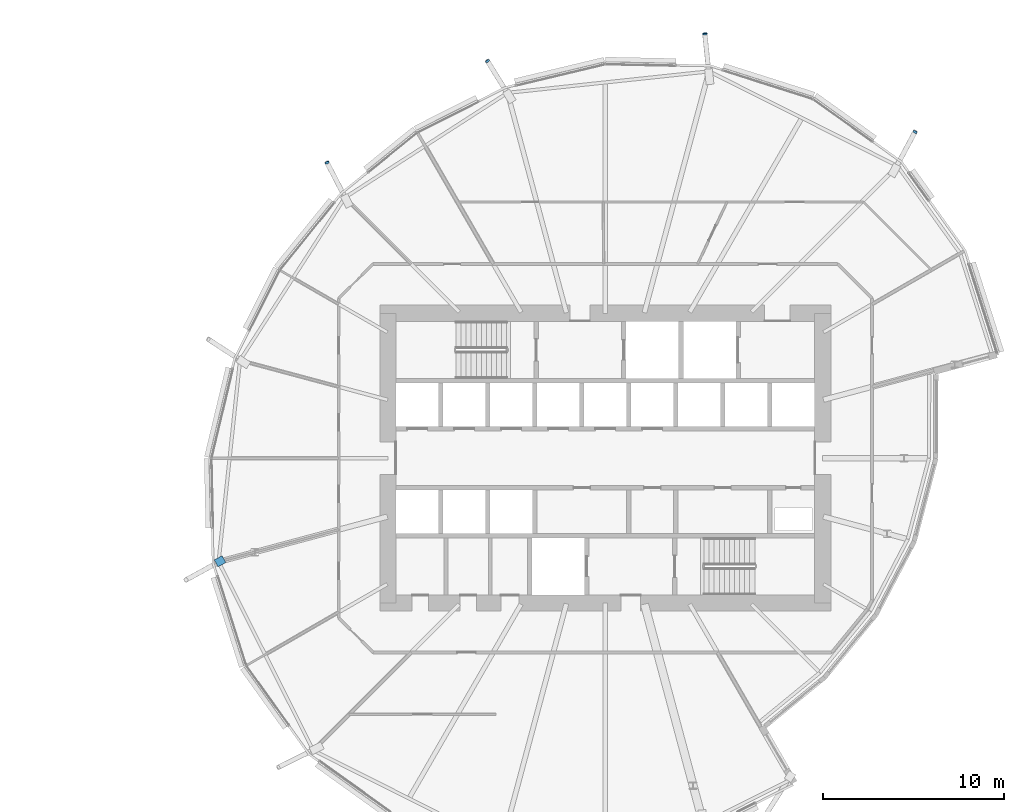
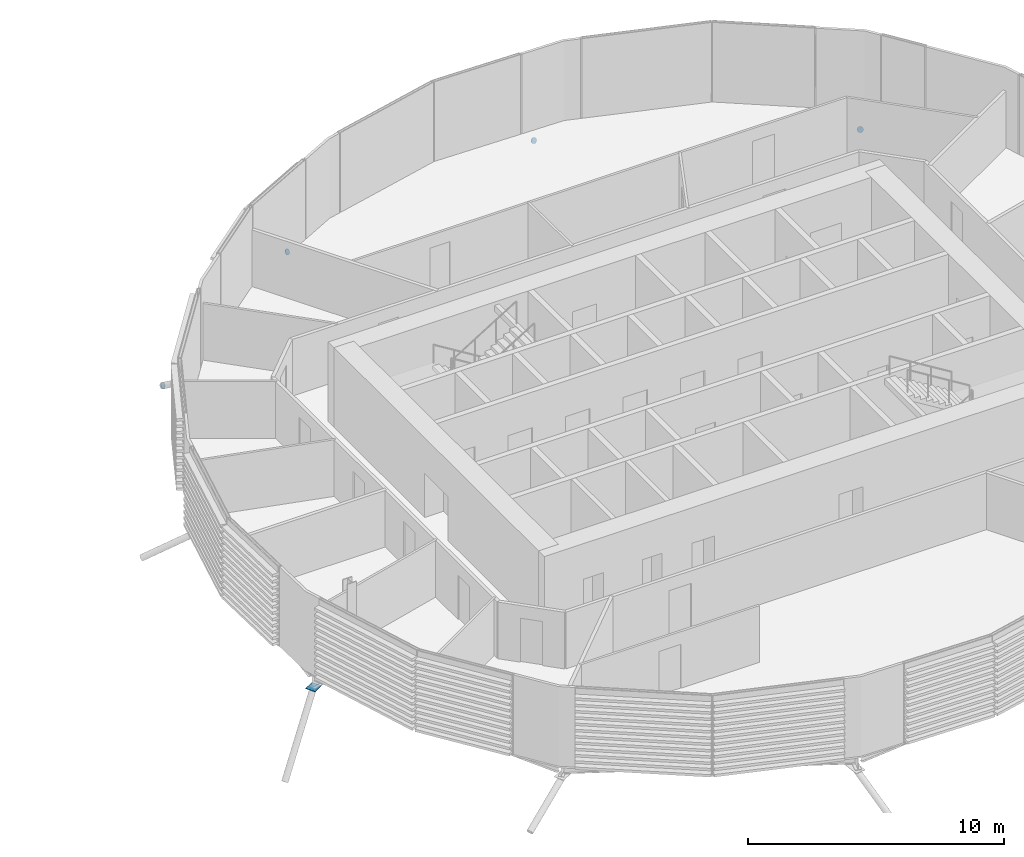
# One storey, part 32 of 38: 5 discrete accessories.
"""IFC4 building model written with IfcOpenShell, lengths in metres."""

from ifc_helpers import new_model, si_unit, direction, frame, origin, origin_2d, place, context, subcontext, project, spatial, polyline, rectangle, circle, outline, extrude, material, material_profile, profile_set, type_object, element, save


model = new_model("IFC4")

# Units and contexts
model_context = context("Model", 3, precision=1e-05, world=origin(), true_north=direction((0.0, 1.0)))
body_context = subcontext(model_context, "Body", "Model", "MODEL_VIEW")
ifc_project = project(units=[si_unit("LENGTHUNIT", "METRE"), si_unit("AREAUNIT", "SQUARE_METRE"), si_unit("VOLUMEUNIT", "CUBIC_METRE"), si_unit("PLANEANGLEUNIT", "RADIAN"), si_unit("MASSUNIT", "GRAM", prefix="KILO")], contexts=[model_context])

# Site, building, storey
site_placement = place(None, origin())
site = spatial("IfcSite", under=ifc_project, at=site_placement, CompositionType="ELEMENT")
building_placement = place(site_placement, origin())
building = spatial("IfcBuilding", under=site, at=building_placement, Name="Rimbun Link Towers", CompositionType="ELEMENT")
storey_placement = place(building_placement, frame((0.0, 0.0, 56.60009765625)))
storey = spatial("IfcBuildingStorey", under=building, at=storey_placement, Name="L13", CompositionType="ELEMENT", Elevation=56.60009765625)

# Discrete accessories
ifc_material_1 = material(Name="Steel S355J2H", Category="steel")
ifc_material_profile_1 = material_profile(ifc_material_1, circle(Radius=0.1240234375, at=origin_2d()), Name="PL D248")
ifc_profile_set_1 = profile_set([ifc_material_profile_1], Name="Steel S355J2H")
discrete_accessory_type_1 = type_object("IfcDiscreteAccessoryType", Name="Link foot sealing plate D248X20", PredefinedType="BRACKET", material=ifc_profile_set_1)
discrete_accessory_1_placement = place(storey_placement, frame((48.844482421875, 18.0126953125, -2.202392578125), z_axis=(0.409638554217, 0.759036144578, -0.506024096386), x_axis=(-0.88002217267, 0.474932601123, 0.0)))
element("IfcDiscreteAccessory", 1, at=discrete_accessory_1_placement, inside=storey, type_object=discrete_accessory_type_1, Name="Link foot sealing plate T2 L13 00", PredefinedType="BRACKET", context=body_context, shape_type="SweptSolid", body=[
    extrude(circle(Radius=0.1240234375, at=origin_2d()), origin(), (0.0, 0.0, 1.0), 0.020263671875),
])
for number, where, z_axis, x_axis, name in (
    (2, (37.240478515625, 23.42919921875, -1.953369140625), (-0.08553137788, 0.916407620138, -0.391000584592), (-0.995672695731, -0.092929451602, 0.0), "Link foot sealing plate T2 L13 02"),
    (3, (25.24169921875, 21.92431640625, -2.14990234375), (-0.452364655741, 0.745790378384, -0.489042871072), (-0.85500950718, -0.518612324027, 0.0), "Link foot sealing plate T2 L13 04"),
    (4, (16.38623046875, 16.31201171875, -2.030517578125), (-0.391702981418, 0.771165244667, -0.501869444942), (-0.891578868093, -0.452865456809, 0.0), "Link foot sealing plate T2 L13 06"),
):
    element("IfcDiscreteAccessory", number, at=place(storey_placement, frame(where, z_axis=z_axis, x_axis=x_axis)), inside=storey, type_object=discrete_accessory_type_1, Name=name, PredefinedType="BRACKET", context=body_context, shape_type="SweptSolid", body=[
        extrude(circle(Radius=0.1240234375, at=origin_2d()), origin(), (0.0, 0.0, 1.0), 0.02001953125),
    ])
ifc_material_2 = material(Name="Steel S355J2H", Category="steel")
ifc_material_profile_2 = material_profile(ifc_material_2, rectangle(XDim=0.43310546875, YDim=0.43310546875, at=origin_2d()), Name="PL 433x433")
ifc_profile_set_2 = profile_set([ifc_material_profile_2], Name="Steel S355J2H")
discrete_accessory_type_2 = type_object("IfcDiscreteAccessoryType", Name="Link head end plate 433X20", PredefinedType="BRACKET", material=ifc_profile_set_2)
discrete_accessory_2_placement = place(storey_placement, frame((0.0, 0.0, -1.020751953125)))
element("IfcDiscreteAccessory", 5, at=discrete_accessory_2_placement, inside=storey, type_object=discrete_accessory_type_2, Name="Link head end plate T2 L13 10", PredefinedType="BRACKET", context=body_context, shape_type="SweptSolid", body=[
    extrude(outline(polyline([(10.58251953125, -5.384765625), (10.15380859375, -5.619384765625), (10.36181640625, -5.999267578125), (10.790283203125, -5.7646484375), (10.58251953125, -5.384765625)])), origin(), (0.0, 0.0, 1.0), 0.02001953125),
])

save(model, "model.ifc")
